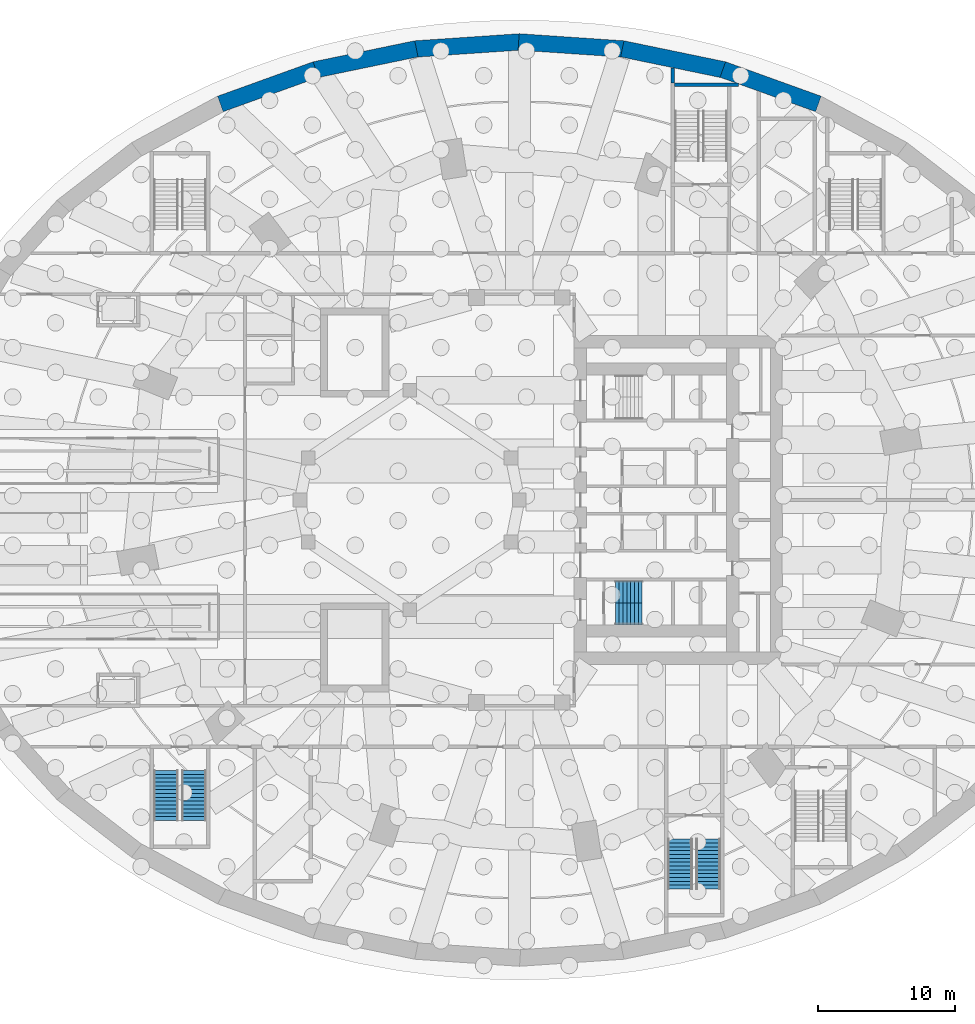
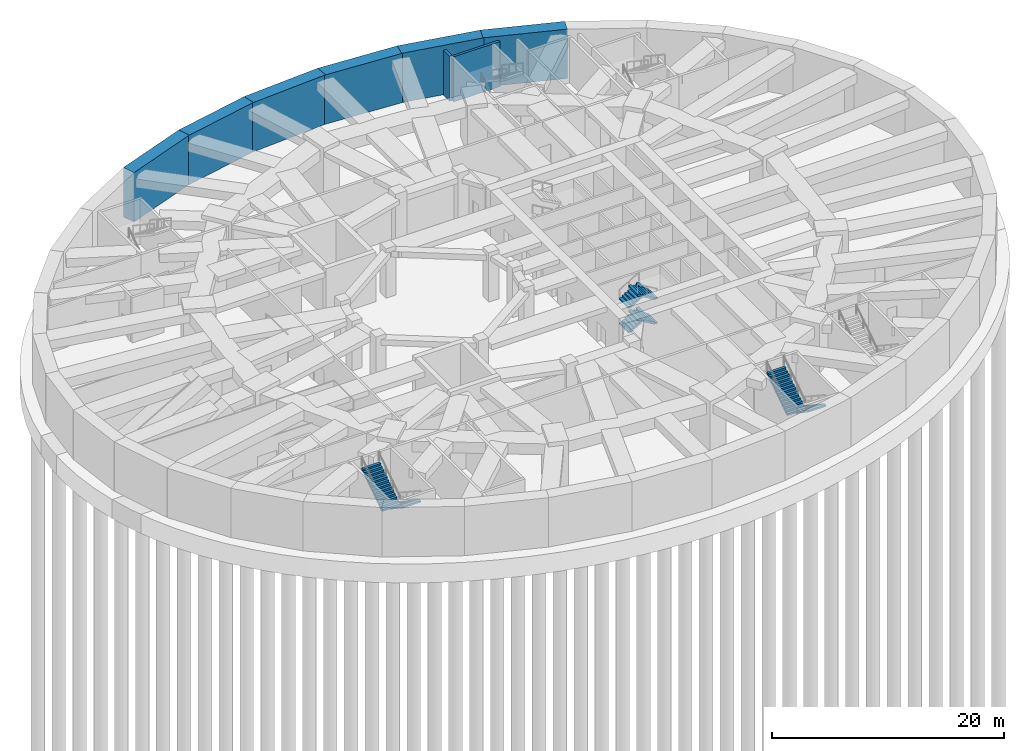
# One storey, part 12 of 18: 8 stair flights, 8 walls, 3 elements without a shape of their own.
"""IFC4 building model written with IfcOpenShell, lengths in metres."""

from ifc_helpers import new_model, si_unit, direction, frame, frame_2d, origin, place, context, subcontext, project, spatial, polyline, rectangle, outline, extrude, material, layer, layer_set, type_object, element, aggregate, save


model = new_model("IFC4")

# Units and contexts
model_context = context("Model", 3, precision=1e-05, world=origin(), true_north=direction((0.0, 1.0)))
body_context = subcontext(model_context, "Body", "Model", "MODEL_VIEW")
ifc_project = project(units=[si_unit("LENGTHUNIT", "METRE"), si_unit("AREAUNIT", "SQUARE_METRE"), si_unit("VOLUMEUNIT", "CUBIC_METRE"), si_unit("PLANEANGLEUNIT", "RADIAN"), si_unit("MASSUNIT", "GRAM", prefix="KILO")], contexts=[model_context])

# Site, building, storey
site_placement = place(None, origin())
site = spatial("IfcSite", under=ifc_project, at=site_placement, CompositionType="ELEMENT")
building_placement = place(site_placement, origin())
building = spatial("IfcBuilding", under=site, at=building_placement, Name="Taillehof Tower", CompositionType="ELEMENT")
storey_placement = place(building_placement, frame((0.0, 0.0, -10.39990234375)))
storey = spatial("IfcBuildingStorey", under=building, at=storey_placement, Name="B2", CompositionType="ELEMENT", Elevation=-10.39990234375)

# Walls
ifc_material_1 = material(Name="Concrete C35/45", Category="concrete")
ifc_layer_1 = layer(ifc_material_1, 1.199951171875)
ifc_layer_set_1 = layer_set([ifc_layer_1], Name="Diaphragm wall 1200")
wall_type_1 = type_object("IfcWallType", Name="Diaphragm wall 1200", PredefinedType="USERDEFINED", material=ifc_layer_set_1)
wall_1_placement = place(storey_placement, frame((21.803466796875, 28.8779296875, 0.0), z_axis=(0.0, 0.0, 1.0), x_axis=(-0.940789454531, 0.338991448628, 0.0)))
element("IfcWall", 1, at=wall_1_placement, inside=storey, type_object=wall_type_1, Name="Diaphragm wall DW07", ObjectType="Retaining wall", PredefinedType="USERDEFINED", context=body_context, shape_type="SweptSolid", body=[
    extrude(rectangle(XDim=7.40576171875, YDim=1.199951171875, at=frame_2d((3.702880859375, 0.0))), origin(), (0.0, 0.0, 1.0), 5.199951171875),
])
wall_2_placement = place(storey_placement, frame((14.93701171875, 31.360107421875, 0.0), z_axis=(0.0, 0.0, 1.0), x_axis=(-0.979235314674, 0.202726906196, 0.0)))
element("IfcWall", 2, at=wall_2_placement, inside=storey, type_object=wall_type_1, Name="Diaphragm wall DW08", ObjectType="Retaining wall", PredefinedType="USERDEFINED", context=body_context, shape_type="SweptSolid", body=[
    extrude(rectangle(XDim=7.5869140625, YDim=1.199951171875, at=frame_2d((3.79345703125, 0.0))), origin(), (0.0, 0.0, 1.0), 5.199951171875),
])
for number, where, z_axis, x_axis, name in (
    (3, (7.611572265625, 32.884033203125, 0.0), (0.0, 0.0, 1.0), (-0.99772313347, 0.067442930977, 0.0), "Diaphragm wall DW09"),
    (4, (0.052490234375, 33.402099609375, 0.0), (0.0, 0.0, 1.0), (-0.99772313347, -0.067442930977, 0.0), "Diaphragm wall DW10"),
):
    element("IfcWall", number, at=place(storey_placement, frame(where, z_axis=z_axis, x_axis=x_axis)), inside=storey, type_object=wall_type_1, Name=name, ObjectType="Retaining wall", PredefinedType="USERDEFINED", context=body_context, shape_type="SweptSolid", body=[
        extrude(rectangle(XDim=7.681640625, YDim=1.199951171875, at=frame_2d((3.8408203125, 0.0))), origin(), (0.0, 0.0, 1.0), 5.199951171875),
    ])
wall_3_placement = place(storey_placement, frame((-7.507568359375, 32.898193359375, 0.0), z_axis=(0.0, 0.0, 1.0), x_axis=(-0.979235314674, -0.202726906196, 0.0)))
element("IfcWall", 5, at=wall_3_placement, inside=storey, type_object=wall_type_1, Name="Diaphragm wall DW11", ObjectType="Retaining wall", PredefinedType="USERDEFINED", context=body_context, shape_type="SweptSolid", body=[
    extrude(rectangle(XDim=7.5869140625, YDim=1.199951171875, at=frame_2d((3.79345703125, 0.0))), origin(), (0.0, 0.0, 1.0), 5.199951171875),
])
wall_4_placement = place(storey_placement, frame((-14.836181640625, 31.388427734375, 0.0), z_axis=(0.0, 0.0, 1.0), x_axis=(-0.940789454531, -0.338991448628, 0.0)))
element("IfcWall", 6, at=wall_4_placement, inside=storey, type_object=wall_type_1, Name="Diaphragm wall DW12", ObjectType="Retaining wall", PredefinedType="USERDEFINED", context=body_context, shape_type="SweptSolid", body=[
    extrude(rectangle(XDim=7.40576171875, YDim=1.199951171875, at=frame_2d((3.702880859375, 0.0))), origin(), (0.0, 0.0, 1.0), 5.199951171875),
])
ifc_material_2 = material(Name="Calcium silicate blockwork", Category="masonry")
ifc_layer_2 = layer(ifc_material_2, 0.25)
ifc_layer_set_2 = layer_set([ifc_layer_2], Name="Fire-resisting wall EI 120 250 mm")
wall_type_2 = type_object("IfcWallType", Name="Fire-resisting wall EI 120 250 mm", PredefinedType="PARTITIONING", material=ifc_layer_set_2)
wall_5_placement = place(storey_placement, frame((11.199951171875, 30.4150390625, 0.0), z_axis=(0.0, 0.0, 1.0), x_axis=(0.0, 1.0, 0.0)))
element("IfcWall", 7, at=wall_5_placement, inside=storey, type_object=wall_type_2, Name="Wall B2-16 / B2-18", PredefinedType="PARTITIONING", context=body_context, shape_type="SweptSolid", body=[
    extrude(rectangle(XDim=1.082763671875, YDim=0.25, at=frame_2d((0.54150390625, 0.0))), origin(), (0.0, 0.0, 1.0), 4.75),
])
ifc_material_3 = material(Name="Concrete C40/50", Category="concrete")
ifc_layer_3 = layer(ifc_material_3, 0.25)
ifc_layer_set_3 = layer_set([ifc_layer_3], Name="Stair wall EI 120 250 mm")
wall_type_3 = type_object("IfcWallType", Name="Stair wall EI 120 250 mm", PredefinedType="SOLIDWALL", material=ifc_layer_set_3)
wall_6_placement = place(storey_placement, frame((11.324951171875, 30.2900390625, 0.0), z_axis=(0.0, 0.0, 1.0), x_axis=(1.0, 0.0, 0.0)))
element("IfcWall", 8, at=wall_6_placement, inside=storey, type_object=wall_type_3, Name="Wall B2-03 / B2-18", PredefinedType="SOLIDWALL", context=body_context, shape_type="SweptSolid", body=[
    extrude(rectangle(XDim=4.63916015625, YDim=0.25, at=frame_2d((2.319580078125, 0.0))), origin(), (0.0, 0.0, 1.0), 4.75),
])

# Stair, stair flights
ifc_material_4 = material(Name="Concrete C40/50", Category="concrete")
stair_type_1 = type_object("IfcStairType", Name="Exit stair half-turn", PredefinedType="HALF_TURN_STAIR", material=ifc_material_4)
stair_1_placement = place(storey_placement, origin())
stair_1 = element("IfcStair", 9, at=stair_1_placement, inside=storey, type_object=stair_type_1, Name="Exit stair S2", PredefinedType="HALF_TURN_STAIR")
ifc_material_5 = material(Name="Concrete C40/50", Category="concrete")
stair_flight_type_1 = type_object("IfcStairFlightType", Name="Stair flight 1600 riser 162.5 going 280", PredefinedType="STRAIGHT", material=ifc_material_5)
stair_flight_1_placement = place(storey_placement, frame((7.0, -6.699951171875, 0.0), z_axis=(0.0, 0.0, 1.0), x_axis=(1.0, 0.0, 0.0)))
stair_flight_1 = element("IfcStairFlight", 10, at=stair_flight_1_placement, type_object=stair_flight_type_1, Name="S2 flight 1", NumberOfRisers=8, NumberOfTreads=7, PredefinedType="STRAIGHT", RiserHeight=0.1625, TreadLength=0.28, context=body_context, shape_type="SweptSolid", body=[
    extrude(outline(polyline([(0.0, 0.0), (0.0, 0.006591796875), (0.0, 0.012939453125), (0.0, 0.01953125), (0.0, 0.02587890625), (0.0, 0.032470703125), (0.0, 0.0390625), (0.0, 0.04541015625), (0.0, 0.052001953125), (0.0, 0.05859375), (0.0, 0.06494140625), (0.0, 0.071533203125), (0.0, 0.077880859375), (0.0, 0.08447265625), (0.0, 0.091064453125), (0.0, 0.097412109375), (0.0, 0.10400390625), (0.0, 0.110595703125), (0.0, 0.116943359375), (0.0, 0.12353515625), (0.0, 0.1298828125), (0.0, 0.136474609375), (0.0, 0.14306640625), (0.0, 0.1494140625), (0.0, 0.156005859375), (0.0, 0.16259765625), (0.280029296875, 0.16259765625), (0.280029296875, 0.324951171875), (0.56005859375, 0.324951171875), (0.56005859375, 0.487548828125), (0.840087890625, 0.487548828125), (0.840087890625, 0.64990234375), (1.1201171875, 0.64990234375), (1.1201171875, 0.8125), (1.39990234375, 0.8125), (1.39990234375, 0.97509765625), (1.679931640625, 0.97509765625), (1.679931640625, 1.137451171875), (1.9599609375, 1.137451171875), (1.9599609375, 1.130615234375), (1.9599609375, 1.12353515625), (1.9599609375, 1.11669921875), (1.9599609375, 1.10986328125), (1.9599609375, 1.102783203125), (1.9599609375, 1.095947265625), (1.9599609375, 1.0888671875), (1.9599609375, 1.08203125), (1.9599609375, 1.0751953125), (1.9599609375, 1.068115234375), (1.9599609375, 1.061279296875), (1.9599609375, 1.05419921875), (1.9599609375, 1.04736328125), (1.9599609375, 1.04052734375), (1.9599609375, 1.033447265625), (1.9599609375, 1.026611328125), (1.9599609375, 1.01953125), (1.9599609375, 1.0126953125), (1.9599609375, 1.005859375), (1.9599609375, 0.998779296875), (1.9599609375, 0.991943359375), (1.9599609375, 0.98486328125), (1.9599609375, 0.97802734375), (1.9599609375, 0.97119140625), (1.9599609375, 0.964111328125), (0.298583984375, 0.0), (0.0, 0.0)])), frame((0.0, 0.800048828125, 0.0), z_axis=(0.0, -1.0, 0.0), x_axis=(1.0, 0.0, 0.0)), (0.0, 0.0, 1.0), 1.6),
])
stair_flight_2_placement = place(storey_placement, frame((8.9599609375, -8.300048828125, 1.2998046875), z_axis=(0.0, 0.0, 1.0), x_axis=(-1.0, 0.0, 0.0)))
stair_flight_2 = element("IfcStairFlight", 11, at=stair_flight_2_placement, type_object=stair_flight_type_1, Name="S2 flight 2", NumberOfRisers=8, NumberOfTreads=7, PredefinedType="STRAIGHT", RiserHeight=0.1625, TreadLength=0.28, context=body_context, shape_type="SweptSolid", body=[
    extrude(outline(polyline([(0.0, 0.0), (0.0, 0.006591796875), (0.0, 0.012939453125), (0.0, 0.01953125), (0.0, 0.02587890625), (0.0, 0.032470703125), (0.0, 0.0390625), (0.0, 0.04541015625), (0.0, 0.052001953125), (0.0, 0.05859375), (0.0, 0.06494140625), (0.0, 0.071533203125), (0.0, 0.077880859375), (0.0, 0.08447265625), (0.0, 0.091064453125), (0.0, 0.097412109375), (0.0, 0.10400390625), (0.0, 0.110595703125), (0.0, 0.116943359375), (0.0, 0.12353515625), (0.0, 0.1298828125), (0.0, 0.136474609375), (0.0, 0.14306640625), (0.0, 0.1494140625), (0.0, 0.156005859375), (0.0, 0.16259765625), (0.280029296875, 0.16259765625), (0.280029296875, 0.324951171875), (0.56005859375, 0.324951171875), (0.56005859375, 0.487548828125), (0.840087890625, 0.487548828125), (0.840087890625, 0.64990234375), (1.1201171875, 0.64990234375), (1.1201171875, 0.8125), (1.39990234375, 0.8125), (1.39990234375, 0.97509765625), (1.679931640625, 0.97509765625), (1.679931640625, 1.137451171875), (1.9599609375, 1.137451171875), (1.9599609375, 1.130615234375), (1.9599609375, 1.12353515625), (1.9599609375, 1.11669921875), (1.9599609375, 1.10986328125), (1.9599609375, 1.102783203125), (1.9599609375, 1.095947265625), (1.9599609375, 1.0888671875), (1.9599609375, 1.08203125), (1.9599609375, 1.0751953125), (1.9599609375, 1.068115234375), (1.9599609375, 1.061279296875), (1.9599609375, 1.05419921875), (1.9599609375, 1.04736328125), (1.9599609375, 1.04052734375), (1.9599609375, 1.033447265625), (1.9599609375, 1.026611328125), (1.9599609375, 1.01953125), (1.9599609375, 1.0126953125), (1.9599609375, 1.005859375), (1.9599609375, 0.998779296875), (1.9599609375, 0.991943359375), (1.9599609375, 0.98486328125), (1.9599609375, 0.97802734375), (1.9599609375, 0.97119140625), (1.9599609375, 0.964111328125), (0.298583984375, 0.0), (0.0, 0.0)])), frame((0.0, 0.800048828125, 0.0), z_axis=(0.0, -1.0, 0.0), x_axis=(1.0, 0.0, 0.0)), (0.0, 0.0, 1.0), 1.6),
])
stair_flight_3_placement = place(storey_placement, frame((7.0, -6.699951171875, 2.599853515625), z_axis=(0.0, 0.0, 1.0), x_axis=(1.0, 0.0, 0.0)))
stair_flight_3 = element("IfcStairFlight", 12, at=stair_flight_3_placement, type_object=stair_flight_type_1, Name="S2 flight 3", NumberOfRisers=8, NumberOfTreads=7, PredefinedType="STRAIGHT", RiserHeight=0.1625, TreadLength=0.28, context=body_context, shape_type="SweptSolid", body=[
    extrude(outline(polyline([(0.0, 0.0), (0.0, 0.006591796875), (0.0, 0.012939453125), (0.0, 0.01953125), (0.0, 0.02587890625), (0.0, 0.032470703125), (0.0, 0.0390625), (0.0, 0.04541015625), (0.0, 0.052001953125), (0.0, 0.05859375), (0.0, 0.06494140625), (0.0, 0.071533203125), (0.0, 0.077880859375), (0.0, 0.08447265625), (0.0, 0.091064453125), (0.0, 0.097412109375), (0.0, 0.10400390625), (0.0, 0.110595703125), (0.0, 0.116943359375), (0.0, 0.12353515625), (0.0, 0.1298828125), (0.0, 0.136474609375), (0.0, 0.14306640625), (0.0, 0.1494140625), (0.0, 0.156005859375), (0.0, 0.16259765625), (0.280029296875, 0.16259765625), (0.280029296875, 0.324951171875), (0.56005859375, 0.324951171875), (0.56005859375, 0.487548828125), (0.840087890625, 0.487548828125), (0.840087890625, 0.64990234375), (1.1201171875, 0.64990234375), (1.1201171875, 0.8125), (1.39990234375, 0.8125), (1.39990234375, 0.97509765625), (1.679931640625, 0.97509765625), (1.679931640625, 1.137451171875), (1.9599609375, 1.137451171875), (1.9599609375, 1.130615234375), (1.9599609375, 1.12353515625), (1.9599609375, 1.11669921875), (1.9599609375, 1.10986328125), (1.9599609375, 1.102783203125), (1.9599609375, 1.095947265625), (1.9599609375, 1.0888671875), (1.9599609375, 1.08203125), (1.9599609375, 1.0751953125), (1.9599609375, 1.068115234375), (1.9599609375, 1.061279296875), (1.9599609375, 1.05419921875), (1.9599609375, 1.04736328125), (1.9599609375, 1.04052734375), (1.9599609375, 1.033447265625), (1.9599609375, 1.026611328125), (1.9599609375, 1.01953125), (1.9599609375, 1.0126953125), (1.9599609375, 1.005859375), (1.9599609375, 0.998779296875), (1.9599609375, 0.991943359375), (1.9599609375, 0.98486328125), (1.9599609375, 0.97802734375), (1.9599609375, 0.97119140625), (1.9599609375, 0.964111328125), (0.298583984375, 0.0), (0.0, 0.0)])), frame((0.0, 0.800048828125, 0.0), z_axis=(0.0, -1.0, 0.0), x_axis=(1.0, 0.0, 0.0)), (0.0, 0.0, 1.0), 1.6),
])
stair_flight_4_placement = place(storey_placement, frame((8.9599609375, -8.300048828125, 3.89990234375), z_axis=(0.0, 0.0, 1.0), x_axis=(-1.0, 0.0, 0.0)))
stair_flight_4 = element("IfcStairFlight", 13, at=stair_flight_4_placement, type_object=stair_flight_type_1, Name="S2 flight 4", NumberOfRisers=8, NumberOfTreads=7, PredefinedType="STRAIGHT", RiserHeight=0.1625, TreadLength=0.28, context=body_context, shape_type="SweptSolid", body=[
    extrude(outline(polyline([(0.0, 0.0), (0.0, 0.006591796875), (0.0, 0.012939453125), (0.0, 0.01953125), (0.0, 0.02587890625), (0.0, 0.032470703125), (0.0, 0.0390625), (0.0, 0.04541015625), (0.0, 0.052001953125), (0.0, 0.05859375), (0.0, 0.06494140625), (0.0, 0.071533203125), (0.0, 0.077880859375), (0.0, 0.08447265625), (0.0, 0.091064453125), (0.0, 0.097412109375), (0.0, 0.10400390625), (0.0, 0.110595703125), (0.0, 0.116943359375), (0.0, 0.12353515625), (0.0, 0.1298828125), (0.0, 0.136474609375), (0.0, 0.14306640625), (0.0, 0.1494140625), (0.0, 0.156005859375), (0.0, 0.16259765625), (0.280029296875, 0.16259765625), (0.280029296875, 0.324951171875), (0.56005859375, 0.324951171875), (0.56005859375, 0.487548828125), (0.840087890625, 0.487548828125), (0.840087890625, 0.64990234375), (1.1201171875, 0.64990234375), (1.1201171875, 0.8125), (1.39990234375, 0.8125), (1.39990234375, 0.97509765625), (1.679931640625, 0.97509765625), (1.679931640625, 1.137451171875), (1.9599609375, 1.137451171875), (1.9599609375, 1.130615234375), (1.9599609375, 1.12353515625), (1.9599609375, 1.11669921875), (1.9599609375, 1.10986328125), (1.9599609375, 1.102783203125), (1.9599609375, 1.095947265625), (1.9599609375, 1.0888671875), (1.9599609375, 1.08203125), (1.9599609375, 1.0751953125), (1.9599609375, 1.068115234375), (1.9599609375, 1.061279296875), (1.9599609375, 1.05419921875), (1.9599609375, 1.04736328125), (1.9599609375, 1.04052734375), (1.9599609375, 1.033447265625), (1.9599609375, 1.026611328125), (1.9599609375, 1.01953125), (1.9599609375, 1.0126953125), (1.9599609375, 1.005859375), (1.9599609375, 0.998779296875), (1.9599609375, 0.991943359375), (1.9599609375, 0.98486328125), (1.9599609375, 0.97802734375), (1.9599609375, 0.97119140625), (1.9599609375, 0.964111328125), (0.298583984375, 0.0), (0.0, 0.0)])), frame((0.0, 0.800048828125, 0.0), z_axis=(0.0, -1.0, 0.0), x_axis=(1.0, 0.0, 0.0)), (0.0, 0.0, 1.0), 1.6),
])
aggregate(stair_1, [stair_flight_1, stair_flight_2, stair_flight_3, stair_flight_4])

ifc_material_6 = material(Name="Concrete C30/37", Category="concrete")
stair_type_2 = type_object("IfcStairType", Name="Escape stair 1800 mm", PredefinedType="HALF_TURN_STAIR", material=ifc_material_6)
stair_2_placement = place(storey_placement, origin())
stair_2 = element("IfcStair", 14, at=stair_2_placement, inside=storey, type_object=stair_type_2, Name="Escape stair ES2", PredefinedType="HALF_TURN_STAIR")
ifc_material_7 = material(Name="Concrete C30/37", Category="concrete")
stair_flight_type_2 = type_object("IfcStairFlightType", Name="Stair flight 1800 mm", PredefinedType="STRAIGHT", material=ifc_material_7)
stair_flight_5_placement = place(storey_placement, frame((-23.72509765625, -19.72509765625, 0.0), z_axis=(0.0, 0.0, 1.0), x_axis=(0.0, -1.0, 0.0)))
stair_flight_5 = element("IfcStairFlight", 15, at=stair_flight_5_placement, type_object=stair_flight_type_2, Name="ES2 flight 1", NumberOfRisers=14, NumberOfTreads=13, PredefinedType="STRAIGHT", RiserHeight=0.185714286, TreadLength=0.28, context=body_context, shape_type="SweptSolid", body=[
    extrude(outline(polyline([(0.0, 0.0), (0.0, 0.00439453125), (0.0, 0.008544921875), (0.0, 0.012939453125), (0.0, 0.017333984375), (0.0, 0.021484375), (0.0, 0.02587890625), (0.0, 0.0302734375), (0.0, 0.03466796875), (0.0, 0.038818359375), (0.0, 0.043212890625), (0.0, 0.047607421875), (0.0, 0.0517578125), (0.0, 0.05615234375), (0.0, 0.060546875), (0.0, 0.064697265625), (0.0, 0.069091796875), (0.0, 0.073486328125), (0.0, 0.07763671875), (0.0, 0.08203125), (0.0, 0.08642578125), (0.0, 0.090576171875), (0.0, 0.094970703125), (0.0, 0.099365234375), (0.0, 0.103759765625), (0.0, 0.10791015625), (0.0, 0.1123046875), (0.0, 0.11669921875), (0.0, 0.120849609375), (0.0, 0.125244140625), (0.0, 0.129638671875), (0.0, 0.1337890625), (0.0, 0.13818359375), (0.0, 0.142578125), (0.0, 0.146728515625), (0.0, 0.151123046875), (0.0, 0.155517578125), (0.0, 0.159912109375), (0.0, 0.1640625), (0.0, 0.16845703125), (0.0, 0.1728515625), (0.0, 0.177001953125), (0.0, 0.181396484375), (0.0, 0.185791015625), (0.280029296875, 0.185791015625), (0.280029296875, 0.371337890625), (0.56005859375, 0.371337890625), (0.56005859375, 0.55712890625), (0.840087890625, 0.55712890625), (0.840087890625, 0.742919921875), (1.1201171875, 0.742919921875), (1.1201171875, 0.928466796875), (1.39990234375, 0.928466796875), (1.39990234375, 1.1142578125), (1.679931640625, 1.1142578125), (1.679931640625, 1.300048828125), (1.9599609375, 1.300048828125), (1.9599609375, 1.485595703125), (2.239990234375, 1.485595703125), (2.239990234375, 1.67138671875), (2.52001953125, 1.67138671875), (2.52001953125, 1.857177734375), (2.800048828125, 1.857177734375), (2.800048828125, 2.04296875), (3.080078125, 2.04296875), (3.080078125, 2.228515625), (3.360107421875, 2.228515625), (3.360107421875, 2.414306640625), (3.639892578125, 2.414306640625), (3.639892578125, 2.41015625), (3.639892578125, 2.406005859375), (3.639892578125, 2.40185546875), (3.639892578125, 2.3974609375), (3.639892578125, 2.393310546875), (3.639892578125, 2.38916015625), (3.639892578125, 2.385009765625), (3.639892578125, 2.380859375), (3.639892578125, 2.376708984375), (3.639892578125, 2.37255859375), (3.639892578125, 2.3681640625), (3.639892578125, 2.364013671875), (3.639892578125, 2.35986328125), (3.639892578125, 2.355712890625), (3.639892578125, 2.3515625), (3.639892578125, 2.347412109375), (3.639892578125, 2.34326171875), (3.639892578125, 2.3388671875), (3.639892578125, 2.334716796875), (3.639892578125, 2.33056640625), (3.639892578125, 2.326416015625), (3.639892578125, 2.322265625), (3.639892578125, 2.318115234375), (3.639892578125, 2.31396484375), (3.639892578125, 2.309814453125), (3.639892578125, 2.305419921875), (3.639892578125, 2.30126953125), (3.639892578125, 2.297119140625), (3.639892578125, 2.29296875), (3.639892578125, 2.288818359375), (3.639892578125, 2.28466796875), (3.639892578125, 2.280517578125), (3.639892578125, 2.276123046875), (3.639892578125, 2.27197265625), (3.639892578125, 2.267822265625), (3.639892578125, 2.263671875), (3.639892578125, 2.259521484375), (3.639892578125, 2.25537109375), (3.639892578125, 2.251220703125), (3.639892578125, 2.2470703125), (3.639892578125, 2.24267578125), (3.639892578125, 2.238525390625), (3.639892578125, 2.234375), (0.271240234375, 0.0), (0.0, 0.0)])), frame((0.0, 0.89990234375, 0.0), z_axis=(0.0, -1.0, 0.0), x_axis=(1.0, 0.0, 0.0)), (0.0, 0.0, 1.0), 1.8),
])
stair_flight_6_placement = place(storey_placement, frame((-25.77490234375, -23.364990234375, 2.599853515625), z_axis=(0.0, 0.0, 1.0), x_axis=(0.0, 1.0, 0.0)))
stair_flight_6 = element("IfcStairFlight", 16, at=stair_flight_6_placement, type_object=stair_flight_type_2, Name="ES2 flight 2", NumberOfRisers=14, NumberOfTreads=13, PredefinedType="STRAIGHT", RiserHeight=0.185714286, TreadLength=0.28, context=body_context, shape_type="SweptSolid", body=[
    extrude(outline(polyline([(0.0, 0.0), (0.0, 0.00439453125), (0.0, 0.008544921875), (0.0, 0.012939453125), (0.0, 0.017333984375), (0.0, 0.021484375), (0.0, 0.02587890625), (0.0, 0.0302734375), (0.0, 0.03466796875), (0.0, 0.038818359375), (0.0, 0.043212890625), (0.0, 0.047607421875), (0.0, 0.0517578125), (0.0, 0.05615234375), (0.0, 0.060546875), (0.0, 0.064697265625), (0.0, 0.069091796875), (0.0, 0.073486328125), (0.0, 0.07763671875), (0.0, 0.08203125), (0.0, 0.08642578125), (0.0, 0.090576171875), (0.0, 0.094970703125), (0.0, 0.099365234375), (0.0, 0.103759765625), (0.0, 0.10791015625), (0.0, 0.1123046875), (0.0, 0.11669921875), (0.0, 0.120849609375), (0.0, 0.125244140625), (0.0, 0.129638671875), (0.0, 0.1337890625), (0.0, 0.13818359375), (0.0, 0.142578125), (0.0, 0.146728515625), (0.0, 0.151123046875), (0.0, 0.155517578125), (0.0, 0.159912109375), (0.0, 0.1640625), (0.0, 0.16845703125), (0.0, 0.1728515625), (0.0, 0.177001953125), (0.0, 0.181396484375), (0.0, 0.185791015625), (0.280029296875, 0.185791015625), (0.280029296875, 0.371337890625), (0.56005859375, 0.371337890625), (0.56005859375, 0.55712890625), (0.840087890625, 0.55712890625), (0.840087890625, 0.742919921875), (1.1201171875, 0.742919921875), (1.1201171875, 0.928466796875), (1.39990234375, 0.928466796875), (1.39990234375, 1.1142578125), (1.679931640625, 1.1142578125), (1.679931640625, 1.300048828125), (1.9599609375, 1.300048828125), (1.9599609375, 1.485595703125), (2.239990234375, 1.485595703125), (2.239990234375, 1.67138671875), (2.52001953125, 1.67138671875), (2.52001953125, 1.857177734375), (2.800048828125, 1.857177734375), (2.800048828125, 2.04296875), (3.080078125, 2.04296875), (3.080078125, 2.228515625), (3.360107421875, 2.228515625), (3.360107421875, 2.414306640625), (3.639892578125, 2.414306640625), (3.639892578125, 2.41015625), (3.639892578125, 2.406005859375), (3.639892578125, 2.40185546875), (3.639892578125, 2.3974609375), (3.639892578125, 2.393310546875), (3.639892578125, 2.38916015625), (3.639892578125, 2.385009765625), (3.639892578125, 2.380859375), (3.639892578125, 2.376708984375), (3.639892578125, 2.37255859375), (3.639892578125, 2.3681640625), (3.639892578125, 2.364013671875), (3.639892578125, 2.35986328125), (3.639892578125, 2.355712890625), (3.639892578125, 2.3515625), (3.639892578125, 2.347412109375), (3.639892578125, 2.34326171875), (3.639892578125, 2.3388671875), (3.639892578125, 2.334716796875), (3.639892578125, 2.33056640625), (3.639892578125, 2.326416015625), (3.639892578125, 2.322265625), (3.639892578125, 2.318115234375), (3.639892578125, 2.31396484375), (3.639892578125, 2.309814453125), (3.639892578125, 2.305419921875), (3.639892578125, 2.30126953125), (3.639892578125, 2.297119140625), (3.639892578125, 2.29296875), (3.639892578125, 2.288818359375), (3.639892578125, 2.28466796875), (3.639892578125, 2.280517578125), (3.639892578125, 2.276123046875), (3.639892578125, 2.27197265625), (3.639892578125, 2.267822265625), (3.639892578125, 2.263671875), (3.639892578125, 2.259521484375), (3.639892578125, 2.25537109375), (3.639892578125, 2.251220703125), (3.639892578125, 2.2470703125), (3.639892578125, 2.24267578125), (3.639892578125, 2.238525390625), (3.639892578125, 2.234375), (0.271240234375, 0.0), (0.0, 0.0)])), frame((0.0, 0.89990234375, 0.0), z_axis=(0.0, -1.0, 0.0), x_axis=(1.0, 0.0, 0.0)), (0.0, 0.0, 1.0), 1.8),
])
aggregate(stair_2, [stair_flight_5, stair_flight_6])

stair_3_placement = place(storey_placement, origin())
stair_3 = element("IfcStair", 17, at=stair_3_placement, inside=storey, type_object=stair_type_2, Name="Escape stair ES6", PredefinedType="HALF_TURN_STAIR")
stair_flight_7_placement = place(storey_placement, frame((13.77490234375, -24.72509765625, 0.0), z_axis=(0.0, 0.0, 1.0), x_axis=(0.0, -1.0, 0.0)))
stair_flight_7 = element("IfcStairFlight", 18, at=stair_flight_7_placement, type_object=stair_flight_type_2, Name="ES6 flight 1", NumberOfRisers=14, NumberOfTreads=13, PredefinedType="STRAIGHT", RiserHeight=0.185714286, TreadLength=0.28, context=body_context, shape_type="SweptSolid", body=[
    extrude(outline(polyline([(0.0, 0.0), (0.0, 0.00439453125), (0.0, 0.008544921875), (0.0, 0.012939453125), (0.0, 0.017333984375), (0.0, 0.021484375), (0.0, 0.02587890625), (0.0, 0.0302734375), (0.0, 0.03466796875), (0.0, 0.038818359375), (0.0, 0.043212890625), (0.0, 0.047607421875), (0.0, 0.0517578125), (0.0, 0.05615234375), (0.0, 0.060546875), (0.0, 0.064697265625), (0.0, 0.069091796875), (0.0, 0.073486328125), (0.0, 0.07763671875), (0.0, 0.08203125), (0.0, 0.08642578125), (0.0, 0.090576171875), (0.0, 0.094970703125), (0.0, 0.099365234375), (0.0, 0.103759765625), (0.0, 0.10791015625), (0.0, 0.1123046875), (0.0, 0.11669921875), (0.0, 0.120849609375), (0.0, 0.125244140625), (0.0, 0.129638671875), (0.0, 0.1337890625), (0.0, 0.13818359375), (0.0, 0.142578125), (0.0, 0.146728515625), (0.0, 0.151123046875), (0.0, 0.155517578125), (0.0, 0.159912109375), (0.0, 0.1640625), (0.0, 0.16845703125), (0.0, 0.1728515625), (0.0, 0.177001953125), (0.0, 0.181396484375), (0.0, 0.185791015625), (0.280029296875, 0.185791015625), (0.280029296875, 0.371337890625), (0.56005859375, 0.371337890625), (0.56005859375, 0.55712890625), (0.840087890625, 0.55712890625), (0.840087890625, 0.742919921875), (1.1201171875, 0.742919921875), (1.1201171875, 0.928466796875), (1.39990234375, 0.928466796875), (1.39990234375, 1.1142578125), (1.679931640625, 1.1142578125), (1.679931640625, 1.300048828125), (1.9599609375, 1.300048828125), (1.9599609375, 1.485595703125), (2.239990234375, 1.485595703125), (2.239990234375, 1.67138671875), (2.52001953125, 1.67138671875), (2.52001953125, 1.857177734375), (2.800048828125, 1.857177734375), (2.800048828125, 2.04296875), (3.080078125, 2.04296875), (3.080078125, 2.228515625), (3.360107421875, 2.228515625), (3.360107421875, 2.414306640625), (3.639892578125, 2.414306640625), (3.639892578125, 2.41015625), (3.639892578125, 2.406005859375), (3.639892578125, 2.40185546875), (3.639892578125, 2.3974609375), (3.639892578125, 2.393310546875), (3.639892578125, 2.38916015625), (3.639892578125, 2.385009765625), (3.639892578125, 2.380859375), (3.639892578125, 2.376708984375), (3.639892578125, 2.37255859375), (3.639892578125, 2.3681640625), (3.639892578125, 2.364013671875), (3.639892578125, 2.35986328125), (3.639892578125, 2.355712890625), (3.639892578125, 2.3515625), (3.639892578125, 2.347412109375), (3.639892578125, 2.34326171875), (3.639892578125, 2.3388671875), (3.639892578125, 2.334716796875), (3.639892578125, 2.33056640625), (3.639892578125, 2.326416015625), (3.639892578125, 2.322265625), (3.639892578125, 2.318115234375), (3.639892578125, 2.31396484375), (3.639892578125, 2.309814453125), (3.639892578125, 2.305419921875), (3.639892578125, 2.30126953125), (3.639892578125, 2.297119140625), (3.639892578125, 2.29296875), (3.639892578125, 2.288818359375), (3.639892578125, 2.28466796875), (3.639892578125, 2.280517578125), (3.639892578125, 2.276123046875), (3.639892578125, 2.27197265625), (3.639892578125, 2.267822265625), (3.639892578125, 2.263671875), (3.639892578125, 2.259521484375), (3.639892578125, 2.25537109375), (3.639892578125, 2.251220703125), (3.639892578125, 2.2470703125), (3.639892578125, 2.24267578125), (3.639892578125, 2.238525390625), (3.639892578125, 2.234375), (0.271240234375, 0.0), (0.0, 0.0)])), frame((0.0, 0.89990234375, 0.0), z_axis=(0.0, -1.0, 0.0), x_axis=(1.0, 0.0, 0.0)), (0.0, 0.0, 1.0), 1.8),
])
stair_flight_8_placement = place(storey_placement, frame((11.72509765625, -28.364990234375, 2.599853515625), z_axis=(0.0, 0.0, 1.0), x_axis=(0.0, 1.0, 0.0)))
stair_flight_8 = element("IfcStairFlight", 19, at=stair_flight_8_placement, type_object=stair_flight_type_2, Name="ES6 flight 2", NumberOfRisers=14, NumberOfTreads=13, PredefinedType="STRAIGHT", RiserHeight=0.185714286, TreadLength=0.28, context=body_context, shape_type="SweptSolid", body=[
    extrude(outline(polyline([(0.0, 0.0), (0.0, 0.00439453125), (0.0, 0.008544921875), (0.0, 0.012939453125), (0.0, 0.017333984375), (0.0, 0.021484375), (0.0, 0.02587890625), (0.0, 0.0302734375), (0.0, 0.03466796875), (0.0, 0.038818359375), (0.0, 0.043212890625), (0.0, 0.047607421875), (0.0, 0.0517578125), (0.0, 0.05615234375), (0.0, 0.060546875), (0.0, 0.064697265625), (0.0, 0.069091796875), (0.0, 0.073486328125), (0.0, 0.07763671875), (0.0, 0.08203125), (0.0, 0.08642578125), (0.0, 0.090576171875), (0.0, 0.094970703125), (0.0, 0.099365234375), (0.0, 0.103759765625), (0.0, 0.10791015625), (0.0, 0.1123046875), (0.0, 0.11669921875), (0.0, 0.120849609375), (0.0, 0.125244140625), (0.0, 0.129638671875), (0.0, 0.1337890625), (0.0, 0.13818359375), (0.0, 0.142578125), (0.0, 0.146728515625), (0.0, 0.151123046875), (0.0, 0.155517578125), (0.0, 0.159912109375), (0.0, 0.1640625), (0.0, 0.16845703125), (0.0, 0.1728515625), (0.0, 0.177001953125), (0.0, 0.181396484375), (0.0, 0.185791015625), (0.280029296875, 0.185791015625), (0.280029296875, 0.371337890625), (0.56005859375, 0.371337890625), (0.56005859375, 0.55712890625), (0.840087890625, 0.55712890625), (0.840087890625, 0.742919921875), (1.1201171875, 0.742919921875), (1.1201171875, 0.928466796875), (1.39990234375, 0.928466796875), (1.39990234375, 1.1142578125), (1.679931640625, 1.1142578125), (1.679931640625, 1.300048828125), (1.9599609375, 1.300048828125), (1.9599609375, 1.485595703125), (2.239990234375, 1.485595703125), (2.239990234375, 1.67138671875), (2.52001953125, 1.67138671875), (2.52001953125, 1.857177734375), (2.800048828125, 1.857177734375), (2.800048828125, 2.04296875), (3.080078125, 2.04296875), (3.080078125, 2.228515625), (3.360107421875, 2.228515625), (3.360107421875, 2.414306640625), (3.639892578125, 2.414306640625), (3.639892578125, 2.41015625), (3.639892578125, 2.406005859375), (3.639892578125, 2.40185546875), (3.639892578125, 2.3974609375), (3.639892578125, 2.393310546875), (3.639892578125, 2.38916015625), (3.639892578125, 2.385009765625), (3.639892578125, 2.380859375), (3.639892578125, 2.376708984375), (3.639892578125, 2.37255859375), (3.639892578125, 2.3681640625), (3.639892578125, 2.364013671875), (3.639892578125, 2.35986328125), (3.639892578125, 2.355712890625), (3.639892578125, 2.3515625), (3.639892578125, 2.347412109375), (3.639892578125, 2.34326171875), (3.639892578125, 2.3388671875), (3.639892578125, 2.334716796875), (3.639892578125, 2.33056640625), (3.639892578125, 2.326416015625), (3.639892578125, 2.322265625), (3.639892578125, 2.318115234375), (3.639892578125, 2.31396484375), (3.639892578125, 2.309814453125), (3.639892578125, 2.305419921875), (3.639892578125, 2.30126953125), (3.639892578125, 2.297119140625), (3.639892578125, 2.29296875), (3.639892578125, 2.288818359375), (3.639892578125, 2.28466796875), (3.639892578125, 2.280517578125), (3.639892578125, 2.276123046875), (3.639892578125, 2.27197265625), (3.639892578125, 2.267822265625), (3.639892578125, 2.263671875), (3.639892578125, 2.259521484375), (3.639892578125, 2.25537109375), (3.639892578125, 2.251220703125), (3.639892578125, 2.2470703125), (3.639892578125, 2.24267578125), (3.639892578125, 2.238525390625), (3.639892578125, 2.234375), (0.271240234375, 0.0), (0.0, 0.0)])), frame((0.0, 0.89990234375, 0.0), z_axis=(0.0, -1.0, 0.0), x_axis=(1.0, 0.0, 0.0)), (0.0, 0.0, 1.0), 1.8),
])
aggregate(stair_3, [stair_flight_7, stair_flight_8])

save(model, "model.ifc")
